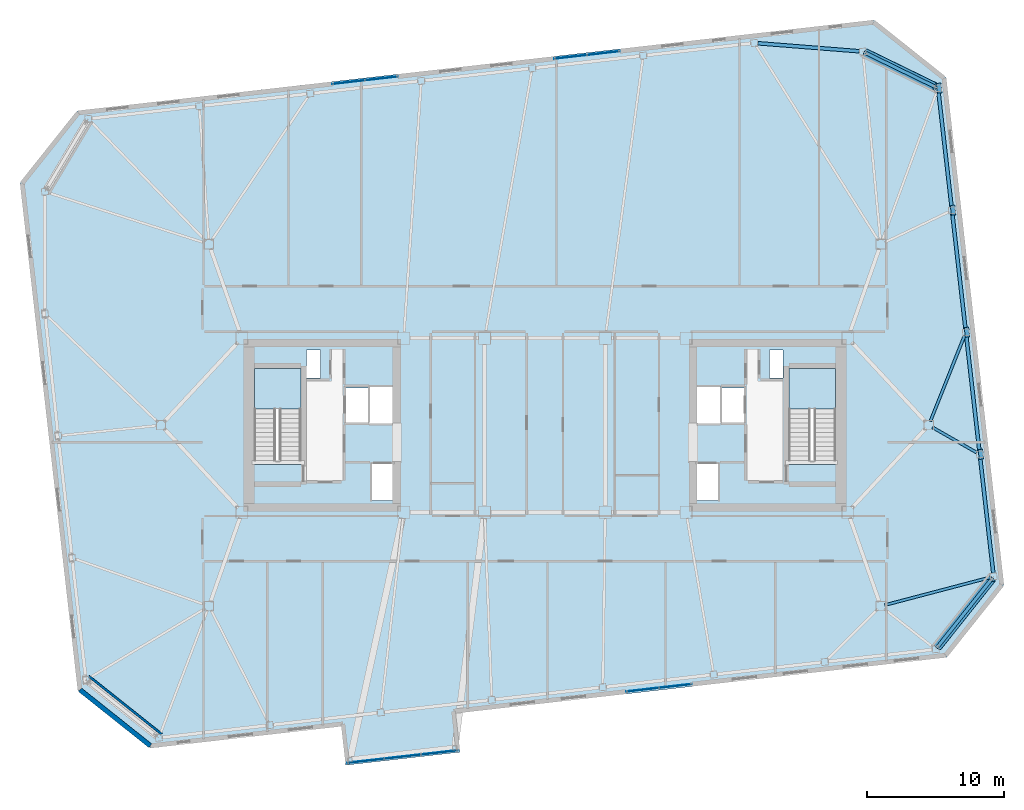
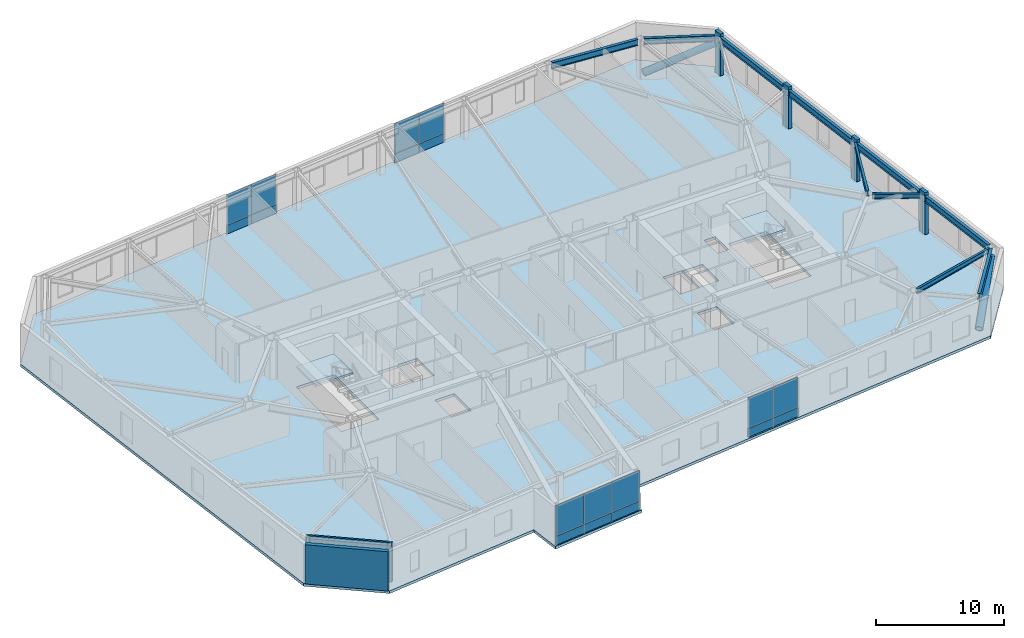
# One storey, part 12 of 19: 18 plates, 10 beams, 6 members, 3 slabs, 2 walls, 6 elements without a shape of their own.
"""IFC4 building model written with IfcOpenShell, lengths in metres."""

from ifc_helpers import new_model, si_unit, direction, frame, frame_2d, origin, origin_2d, place, context, subcontext, project, spatial, polyline, rectangle, hollow_circle, i_section, outline, extrude, material, layer, layer_set, material_profile, profile_set, type_object, element, aggregate, save


model = new_model("IFC4")

# Units and contexts
model_context = context("Model", 3, precision=1e-05, world=origin(), true_north=direction((0.0, 1.0)))
body_context = subcontext(model_context, "Body", "Model", "MODEL_VIEW")
ifc_project = project(units=[si_unit("LENGTHUNIT", "METRE"), si_unit("AREAUNIT", "SQUARE_METRE"), si_unit("VOLUMEUNIT", "CUBIC_METRE"), si_unit("PLANEANGLEUNIT", "RADIAN"), si_unit("MASSUNIT", "GRAM", prefix="KILO")], contexts=[model_context])

# Site, building, storey
site_placement = place(None, origin())
site = spatial("IfcSite", under=ifc_project, at=site_placement, CompositionType="ELEMENT")
building_placement = place(site_placement, origin())
building = spatial("IfcBuilding", under=site, at=building_placement, Name="Tavrogorsk Clinical Tower", CompositionType="ELEMENT")
storey_placement = place(building_placement, frame((0.0, 0.0, 218.199951171875)))
storey = spatial("IfcBuildingStorey", under=building, at=storey_placement, Name="L50", CompositionType="ELEMENT", Elevation=218.199951171875)

# Members
ifc_material_1 = material(Name="Structural steel S440", Category="steel")
ifc_material_profile_1 = material_profile(ifc_material_1, hollow_circle(Radius=0.304931640625, WallThickness=0.02490234375, at=origin_2d()), Name="CHS-610x25")
ifc_profile_set_1 = profile_set([ifc_material_profile_1], Name="Structural steel S440")
member_type_1 = type_object("IfcMemberType", Name="ExoBrace_CHS610", PredefinedType="BRACE", material=ifc_profile_set_1)
member_1_placement = place(storey_placement, frame((28.6572265625, -16.15869140625, 0.398193359375), z_axis=(0.575789482159, 0.723851679348, 0.380138420237), x_axis=(-0.782601910855, 0.622522488852, 0.0)))
element("IfcMember", 1, at=member_1_placement, inside=storey, type_object=member_type_1, Name="L50 Corner Exoskeleton Brace S8-E1", PredefinedType="BRACE", context=body_context, shape_type="SweptSolid", body=[
    extrude(hollow_circle(Radius=0.304931640625, WallThickness=0.02490234375, at=origin_2d()), origin(), (0.0, 0.0, 1.0), 6.8232421875),
])
member_2_placement = place(storey_placement, frame((23.399169921875, 27.150634765625, 0.4072265625), z_axis=(0.817526882464, -0.398699450942, 0.41555811178), x_axis=(0.438340015424, 0.898809229413, 0.0)))
element("IfcMember", 2, at=member_2_placement, inside=storey, type_object=member_type_1, Name="L50 Corner Exoskeleton Brace E5-N1", PredefinedType="BRACE", context=body_context, shape_type="SweptSolid", body=[
    extrude(hollow_circle(Radius=0.304931640625, WallThickness=0.02490234375, at=origin_2d()), origin(), (0.0, 0.0, 1.0), 6.1982421875),
])

# Beams
ifc_material_2 = material(Name="Structural steel S355", Category="steel")
ifc_material_profile_2 = material_profile(ifc_material_2, i_section(OverallWidth=0.199951171875, OverallDepth=0.449951171875, WebThickness=0.011474609375, FlangeThickness=0.01806640625, at=origin_2d()), Name="B-450x200x11.5x18")
ifc_profile_set_2 = profile_set([ifc_material_profile_2], Name="Structural steel S355")
beam_type_1 = type_object("IfcBeamType", Name="FloorBeam_B450", PredefinedType="BEAM", material=ifc_profile_set_2)
beam_1_placement = place(storey_placement, frame((24.7998046875, -13.12109375, 3.51513671875), z_axis=(0.967072149487, 0.254502372652, 0.0), x_axis=(-0.254502372652, 0.967072149487, 0.0)))
element("IfcBeam", 3, at=beam_1_placement, inside=storey, type_object=beam_type_1, Name="L50 Radial Floor Beam E1", PredefinedType="BEAM", context=body_context, shape_type="SweptSolid", body=[
    extrude(i_section(OverallWidth=0.199951171875, OverallDepth=0.449951171875, WebThickness=0.011474609375, FlangeThickness=0.01806640625, at=origin_2d()), origin(), (0.0, 0.0, 1.0), 7.94677734375),
])
beam_2_placement = place(storey_placement, frame((28.26904296875, -0.154052734375, 3.51513671875), z_axis=(0.867782232017, -0.49694466271, 0.0), x_axis=(0.49694466271, 0.867782232017, 0.0)))
element("IfcBeam", 4, at=beam_2_placement, inside=storey, type_object=beam_type_1, Name="L50 Radial Floor Beam E2", PredefinedType="BEAM", context=body_context, shape_type="SweptSolid", body=[
    extrude(i_section(OverallWidth=0.199951171875, OverallDepth=0.449951171875, WebThickness=0.011474609375, FlangeThickness=0.01806640625, at=origin_2d()), origin(), (0.0, 0.0, 1.0), 3.718994140625),
])
beam_3_placement = place(storey_placement, frame((28.114990234375, 0.287841796875, 3.51513671875), z_axis=(0.371052625529, 0.928611839838, 0.0), x_axis=(-0.928611839838, 0.371052625529, 0.0)))
element("IfcBeam", 5, at=beam_3_placement, inside=storey, type_object=beam_type_1, Name="L50 Radial Floor Beam E3", PredefinedType="BEAM", context=body_context, shape_type="SweptSolid", body=[
    extrude(i_section(OverallWidth=0.199951171875, OverallDepth=0.449951171875, WebThickness=0.011474609375, FlangeThickness=0.01806640625, at=origin_2d()), origin(), (0.0, 0.0, 1.0), 6.724365234375),
])

# Members
ifc_material_3 = material(Name="Precast concrete B45 with limestone cladding", Category="masonry")
ifc_material_profile_3 = material_profile(ifc_material_3, rectangle(XDim=0.320068359375, YDim=0.719970703125, at=origin_2d()), Name="LIMESTONE-FIN-320x720")
ifc_profile_set_3 = profile_set([ifc_material_profile_3], Name="Precast concrete B45 with limestone cladding")
member_type_2 = type_object("IfcMemberType", Name="LimestonePleatFin_320x720", PredefinedType="USERDEFINED", material=ifc_profile_set_3)
for number, where, z_axis, x_axis, name in (
    (6, (31.799560546875, -2.121337890625, 0.0), (0.0, 0.0, 1.0), (0.993571855677, 0.113203213768, 0.0), "L50 E Pleated Stone Fin 1"),
    (7, (30.785400390625, 6.781005859375, 0.0), (0.0, 0.0, 1.0), (0.993571855677, 0.113203213768, 0.0), "L50 E Pleated Stone Fin 2"),
    (8, (29.77099609375, 15.683349609375, 0.0), (0.0, 0.0, 1.0), (0.993571855677, 0.113203213768, 0.0), "L50 E Pleated Stone Fin 3"),
    (9, (28.756591796875, 24.585693359375, 0.0), (0.0, 0.0, 1.0), (0.993571855677, 0.113203213768, 0.0), "L50 E Pleated Stone Fin 4"),
):
    element("IfcMember", number, at=place(storey_placement, frame(where, z_axis=z_axis, x_axis=x_axis)), inside=storey, type_object=member_type_2, Name=name, ObjectType="FIN", PredefinedType="USERDEFINED", context=body_context, shape_type="SweptSolid", body=[
        extrude(rectangle(XDim=0.320068359375, YDim=0.719970703125, at=origin_2d()), origin(), (0.0, 0.0, 1.0), 4.0),
    ])

# Beams
ifc_material_4 = material(Name="Structural steel S390", Category="steel")
ifc_material_profile_4 = material_profile(ifc_material_4, i_section(OverallWidth=0.260009765625, OverallDepth=0.60009765625, WebThickness=0.014892578125, FlangeThickness=0.02392578125, at=origin_2d()), Name="B-600x260x15x24")
ifc_profile_set_4 = profile_set([ifc_material_profile_4], Name="Structural steel S390")
beam_type_2 = type_object("IfcBeamType", Name="SpandrelBeam_B600", PredefinedType="SPANDREL", material=ifc_profile_set_4)
beam_4_placement = place(storey_placement, frame((28.669189453125, -16.1435546875, 3.43994140625), z_axis=(0.622513813188, 0.782608811853, 0.0), x_axis=(-0.782608811853, 0.622513813188, 0.0)))
element("IfcBeam", 10, at=beam_4_placement, inside=storey, type_object=beam_type_2, Name="L50 Perimeter Spandrel S8-E1", PredefinedType="SPANDREL", context=body_context, shape_type="SweptSolid", body=[
    extrude(i_section(OverallWidth=0.260009765625, OverallDepth=0.60009765625, WebThickness=0.014892578125, FlangeThickness=0.02392578125, at=origin_2d()), origin(), (0.0, 0.0, 1.0), 6.272216796875),
])
for number, where, z_axis, x_axis, name in (
    (11, (32.705078125, -10.776611328125, 3.43994140625), (-0.113191877531, 0.993573147212, 0.0), (-0.993573147212, -0.113191877531, 0.0), "L50 Perimeter Spandrel E1-E2"),
    (12, (31.69091796875, -1.874267578125, 3.43994140625), (-0.113191877531, 0.993573147212, 0.0), (-0.993573147212, -0.113191877531, 0.0), "L50 Perimeter Spandrel E2-E3"),
):
    element("IfcBeam", number, at=place(storey_placement, frame(where, z_axis=z_axis, x_axis=x_axis)), inside=storey, type_object=beam_type_2, Name=name, PredefinedType="SPANDREL", context=body_context, shape_type="SweptSolid", body=[
        extrude(i_section(OverallWidth=0.260009765625, OverallDepth=0.60009765625, WebThickness=0.014892578125, FlangeThickness=0.02392578125, at=origin_2d()), origin(), (0.0, 0.0, 1.0), 8.444091796875),
    ])
for number, where, z_axis, x_axis, name in (
    (13, (30.676513671875, 7.0283203125, 3.43994140625), (-0.113195129234, 0.99357277676, 0.0), (-0.99357277676, -0.113195129234, 0.0), "L50 Perimeter Spandrel E3-E4"),
    (14, (29.662353515625, 15.9306640625, 3.43994140625), (-0.113223671813, 0.993569524563, 0.0), (-0.993569524563, -0.113223671813, 0.0), "L50 Perimeter Spandrel E4-E5"),
):
    element("IfcBeam", number, at=place(storey_placement, frame(where, z_axis=z_axis, x_axis=x_axis)), inside=storey, type_object=beam_type_2, Name=name, PredefinedType="SPANDREL", context=body_context, shape_type="SweptSolid", body=[
        extrude(i_section(OverallWidth=0.260009765625, OverallDepth=0.60009765625, WebThickness=0.014892578125, FlangeThickness=0.02392578125, at=origin_2d()), origin(), (0.0, 0.0, 1.0), 8.44384765625),
    ])
beam_5_placement = place(storey_placement, frame((28.4453125, 24.689697265625, 3.43994140625), z_axis=(-0.898811248667, 0.438335874951, 0.0), x_axis=(-0.438335874951, -0.898811248667, 0.0)))
element("IfcBeam", 15, at=beam_5_placement, inside=storey, type_object=beam_type_2, Name="L50 Perimeter Spandrel E5-N1", PredefinedType="SPANDREL", context=body_context, shape_type="SweptSolid", body=[
    extrude(i_section(OverallWidth=0.260009765625, OverallDepth=0.60009765625, WebThickness=0.014892578125, FlangeThickness=0.02392578125, at=origin_2d()), origin(), (0.0, 0.0, 1.0), 5.5908203125),
])
beam_6_placement = place(storey_placement, frame((22.930908203125, 27.273681640625, 3.43994140625), z_axis=(-0.996881705424, 0.078910489738, 0.0), x_axis=(-0.078910489738, -0.996881705424, 0.0)))
element("IfcBeam", 16, at=beam_6_placement, inside=storey, type_object=beam_type_2, Name="L50 Perimeter Spandrel N1-N2", PredefinedType="SPANDREL", context=body_context, shape_type="SweptSolid", body=[
    extrude(i_section(OverallWidth=0.260009765625, OverallDepth=0.60009765625, WebThickness=0.014892578125, FlangeThickness=0.02392578125, at=origin_2d()), origin(), (0.0, 0.0, 1.0), 7.428466796875),
])

# Curtain wall, plates
ifc_material_5 = material(Name="Anodised aluminium and triple IGU glazing", Category="aluminium")
ifc_layer_1 = layer(ifc_material_5, 0.179931640625)
ifc_layer_set_1 = layer_set([ifc_layer_1], Name="Anodised aluminium and triple IGU glazing")
curtain_wall_type_1 = type_object("IfcCurtainWallType", Name="CW3_SouthSlot", PredefinedType="NOTDEFINED", material=ifc_layer_set_1)
curtain_wall_1_placement = place(storey_placement, origin())
curtain_wall_1 = element("IfcCurtainWall", 17, at=curtain_wall_1_placement, inside=storey, type_object=curtain_wall_type_1, Name="L50 Curtain Wall CW-L50-S-SLOT-2", PredefinedType="NOTDEFINED")
ifc_material_6 = material(Name="Honed Podolsk limestone spandrel panel", Category="masonry")
ifc_layer_2 = layer(ifc_material_6, 0.080078125)
ifc_layer_set_2 = layer_set([ifc_layer_2], Name="Honed Podolsk limestone spandrel panel")
plate_type_1 = type_object("IfcPlateType", Name="CwSpandrelStonePanel_80", PredefinedType="CURTAIN_PANEL", material=ifc_layer_set_2)
plate_1_placement = place(storey_placement, frame((7.125732421875, -19.294921875, 0.002197265625), z_axis=(0.0, 0.0, 1.0), x_axis=(0.993571855603, 0.11320321441, 0.0)))
plate_1 = element("IfcPlate", 18, at=plate_1_placement, type_object=plate_type_1, Name="CW-L50-S-SLOT-2 Stone Spandrel Panel 1", PredefinedType="CURTAIN_PANEL", context=body_context, shape_type="SweptSolid", body=[
    extrude(rectangle(XDim=2.39208984375, YDim=0.080078125, at=origin_2d()), origin(), (0.0, 0.0, 1.0), 0.8359375),
])
plate_2_placement = place(storey_placement, frame((9.526123046875, -19.021484375, 0.002197265625), z_axis=(0.0, 0.0, 1.0), x_axis=(0.993571855603, 0.11320321441, 0.0)))
plate_2 = element("IfcPlate", 19, at=plate_2_placement, type_object=plate_type_1, Name="CW-L50-S-SLOT-2 Stone Spandrel Panel 2", PredefinedType="CURTAIN_PANEL", context=body_context, shape_type="SweptSolid", body=[
    extrude(rectangle(XDim=2.39208984375, YDim=0.080078125, at=origin_2d()), origin(), (0.0, 0.0, 1.0), 0.8359375),
])

ifc_material_7 = material(Name="Anodised aluminium and triple IGU glazing", Category="aluminium")
ifc_layer_3 = layer(ifc_material_7, 0.179931640625)
ifc_layer_set_3 = layer_set([ifc_layer_3], Name="Anodised aluminium and triple IGU glazing")
curtain_wall_type_2 = type_object("IfcCurtainWallType", Name="CW2_NorthSlot", PredefinedType="NOTDEFINED", material=ifc_layer_set_3)
curtain_wall_2_placement = place(storey_placement, origin())
curtain_wall_2 = element("IfcCurtainWall", 20, at=curtain_wall_2_placement, inside=storey, type_object=curtain_wall_type_2, Name="L50 Curtain Wall CW-L50-N-SLOT-1", PredefinedType="NOTDEFINED")
plate_3_placement = place(storey_placement, frame((-11.92578125, 25.294921875, 0.002197265625), z_axis=(0.0, 0.0, 1.0), x_axis=(-0.993571855603, -0.11320321441, 0.0)))
plate_3 = element("IfcPlate", 21, at=plate_3_placement, type_object=plate_type_1, Name="CW-L50-N-SLOT-1 Stone Spandrel Panel 1", PredefinedType="CURTAIN_PANEL", context=body_context, shape_type="SweptSolid", body=[
    extrude(rectangle(XDim=2.39208984375, YDim=0.080078125, at=origin_2d()), origin(), (0.0, 0.0, 1.0), 0.8359375),
])
plate_4_placement = place(storey_placement, frame((-14.326171875, 25.021484375, 0.002197265625), z_axis=(0.0, 0.0, 1.0), x_axis=(-0.993571855603, -0.11320321441, 0.0)))
plate_4 = element("IfcPlate", 22, at=plate_4_placement, type_object=plate_type_1, Name="CW-L50-N-SLOT-1 Stone Spandrel Panel 2", PredefinedType="CURTAIN_PANEL", context=body_context, shape_type="SweptSolid", body=[
    extrude(rectangle(XDim=2.39208984375, YDim=0.080078125, at=origin_2d()), origin(), (0.0, 0.0, 1.0), 0.8359375),
])

curtain_wall_3_placement = place(storey_placement, origin())
curtain_wall_3 = element("IfcCurtainWall", 23, at=curtain_wall_3_placement, inside=storey, type_object=curtain_wall_type_2, Name="L50 Curtain Wall CW-L50-N-SLOT-2", PredefinedType="NOTDEFINED")
plate_5_placement = place(storey_placement, frame((4.266845703125, 27.139892578125, 0.002197265625), z_axis=(0.0, 0.0, 1.0), x_axis=(-0.993571855603, -0.11320321441, 0.0)))
plate_5 = element("IfcPlate", 24, at=plate_5_placement, type_object=plate_type_1, Name="CW-L50-N-SLOT-2 Stone Spandrel Panel 1", PredefinedType="CURTAIN_PANEL", context=body_context, shape_type="SweptSolid", body=[
    extrude(rectangle(XDim=2.39208984375, YDim=0.080078125, at=origin_2d()), origin(), (0.0, 0.0, 1.0), 0.8359375),
])
plate_6_placement = place(storey_placement, frame((1.8662109375, 26.866455078125, 0.002197265625), z_axis=(0.0, 0.0, 1.0), x_axis=(-0.993571855603, -0.11320321441, 0.0)))
plate_6 = element("IfcPlate", 25, at=plate_6_placement, type_object=plate_type_1, Name="CW-L50-N-SLOT-2 Stone Spandrel Panel 2", PredefinedType="CURTAIN_PANEL", context=body_context, shape_type="SweptSolid", body=[
    extrude(rectangle(XDim=2.39208984375, YDim=0.080078125, at=origin_2d()), origin(), (0.0, 0.0, 1.0), 0.8359375),
])

ifc_material_8 = material(Name="Anodised aluminium and triple IGU glazing", Category="aluminium")
ifc_layer_4 = layer(ifc_material_8, 0.179931640625)
ifc_layer_set_4 = layer_set([ifc_layer_4], Name="Anodised aluminium and triple IGU glazing")
curtain_wall_type_3 = type_object("IfcCurtainWallType", Name="CW4_DayroomBox", PredefinedType="NOTDEFINED", material=ifc_layer_set_4)
curtain_wall_4_placement = place(storey_placement, origin())
curtain_wall_4 = element("IfcCurtainWall", 26, at=curtain_wall_4_placement, inside=storey, type_object=curtain_wall_type_3, Name="L50 Curtain Wall CW-DRB-07-L50", PredefinedType="NOTDEFINED")
plate_7_placement = place(storey_placement, frame((-13.063232421875, -24.48388671875, 0.002197265625), z_axis=(0.0, 0.0, 1.0), x_axis=(0.993571856066, 0.113203210352, 0.0)))
plate_7 = element("IfcPlate", 27, at=plate_7_placement, type_object=plate_type_1, Name="CW-DRB-07-L50 Stone Spandrel Panel 1", PredefinedType="CURTAIN_PANEL", context=body_context, shape_type="SweptSolid", body=[
    extrude(rectangle(XDim=2.68798828125, YDim=0.080078125, at=origin_2d()), origin(), (0.0, 0.0, 1.0), 0.8359375),
])
plate_8_placement = place(storey_placement, frame((-10.374755859375, -24.177490234375, 0.002197265625), z_axis=(0.0, 0.0, 1.0), x_axis=(0.993571856066, 0.113203210352, 0.0)))
plate_8 = element("IfcPlate", 28, at=plate_8_placement, type_object=plate_type_1, Name="CW-DRB-07-L50 Stone Spandrel Panel 2", PredefinedType="CURTAIN_PANEL", context=body_context, shape_type="SweptSolid", body=[
    extrude(rectangle(XDim=2.676025390625, YDim=0.080078125, at=origin_2d()), origin(), (0.0, 0.0, 1.0), 0.8359375),
])
plate_9_placement = place(storey_placement, frame((-7.68603515625, -23.87109375, 0.002197265625), z_axis=(0.0, 0.0, 1.0), x_axis=(0.993571856066, 0.113203210352, 0.0)))
plate_9 = element("IfcPlate", 29, at=plate_9_placement, type_object=plate_type_1, Name="CW-DRB-07-L50 Stone Spandrel Panel 3", PredefinedType="CURTAIN_PANEL", context=body_context, shape_type="SweptSolid", body=[
    extrude(rectangle(XDim=2.68798828125, YDim=0.080078125, at=origin_2d()), origin(), (0.0, 0.0, 1.0), 0.8359375),
])

# Plate
ifc_material_9 = material(Name="Triple low-E argon insulated glass", Category="glass")
ifc_layer_5 = layer(ifc_material_9, 0.048095703125)
ifc_layer_set_5 = layer_set([ifc_layer_5], Name="Triple low-E argon insulated glass")
plate_type_2 = type_object("IfcPlateType", Name="CwVisionGlassPanel_48", PredefinedType="CURTAIN_PANEL", material=ifc_layer_set_5)
plate_10_placement = place(storey_placement, frame((7.125732421875, -19.294921875, 0.862060546875), z_axis=(0.0, 0.0, 1.0), x_axis=(0.993571855603, 0.11320321441, 0.0)))
plate_10 = element("IfcPlate", 30, at=plate_10_placement, type_object=plate_type_2, Name="CW-L50-S-SLOT-2 Glazing Panel 1", PredefinedType="CURTAIN_PANEL", context=body_context, shape_type="SweptSolid", body=[
    extrude(rectangle(XDim=2.39208984375, YDim=0.048095703125, at=origin_2d()), origin(), (0.0, 0.0, 1.0), 2.8759765625),
])

plate_11_placement = place(storey_placement, frame((9.526123046875, -19.021484375, 0.862060546875), z_axis=(0.0, 0.0, 1.0), x_axis=(0.993571855603, 0.11320321441, 0.0)))
plate_11 = element("IfcPlate", 31, at=plate_11_placement, type_object=plate_type_2, Name="CW-L50-S-SLOT-2 Glazing Panel 2", PredefinedType="CURTAIN_PANEL", context=body_context, shape_type="SweptSolid", body=[
    extrude(rectangle(XDim=2.39208984375, YDim=0.048095703125, at=origin_2d()), origin(), (0.0, 0.0, 1.0), 2.8759765625),
])

aggregate(curtain_wall_1, [plate_1, plate_10, plate_2, plate_11])

plate_12_placement = place(storey_placement, frame((-11.92578125, 25.294921875, 0.862060546875), z_axis=(0.0, 0.0, 1.0), x_axis=(-0.993571855603, -0.11320321441, 0.0)))
plate_12 = element("IfcPlate", 32, at=plate_12_placement, type_object=plate_type_2, Name="CW-L50-N-SLOT-1 Glazing Panel 1", PredefinedType="CURTAIN_PANEL", context=body_context, shape_type="SweptSolid", body=[
    extrude(rectangle(XDim=2.39208984375, YDim=0.048095703125, at=origin_2d()), origin(), (0.0, 0.0, 1.0), 2.8759765625),
])

plate_13_placement = place(storey_placement, frame((-14.326171875, 25.021484375, 0.862060546875), z_axis=(0.0, 0.0, 1.0), x_axis=(-0.993571855603, -0.11320321441, 0.0)))
plate_13 = element("IfcPlate", 33, at=plate_13_placement, type_object=plate_type_2, Name="CW-L50-N-SLOT-1 Glazing Panel 2", PredefinedType="CURTAIN_PANEL", context=body_context, shape_type="SweptSolid", body=[
    extrude(rectangle(XDim=2.39208984375, YDim=0.048095703125, at=origin_2d()), origin(), (0.0, 0.0, 1.0), 2.8759765625),
])

aggregate(curtain_wall_2, [plate_3, plate_12, plate_4, plate_13])

plate_14_placement = place(storey_placement, frame((4.266845703125, 27.139892578125, 0.862060546875), z_axis=(0.0, 0.0, 1.0), x_axis=(-0.993571855603, -0.11320321441, 0.0)))
plate_14 = element("IfcPlate", 34, at=plate_14_placement, type_object=plate_type_2, Name="CW-L50-N-SLOT-2 Glazing Panel 1", PredefinedType="CURTAIN_PANEL", context=body_context, shape_type="SweptSolid", body=[
    extrude(rectangle(XDim=2.39208984375, YDim=0.048095703125, at=origin_2d()), origin(), (0.0, 0.0, 1.0), 2.8759765625),
])

plate_15_placement = place(storey_placement, frame((1.8662109375, 26.866455078125, 0.862060546875), z_axis=(0.0, 0.0, 1.0), x_axis=(-0.993571855603, -0.11320321441, 0.0)))
plate_15 = element("IfcPlate", 35, at=plate_15_placement, type_object=plate_type_2, Name="CW-L50-N-SLOT-2 Glazing Panel 2", PredefinedType="CURTAIN_PANEL", context=body_context, shape_type="SweptSolid", body=[
    extrude(rectangle(XDim=2.39208984375, YDim=0.048095703125, at=origin_2d()), origin(), (0.0, 0.0, 1.0), 2.8759765625),
])

aggregate(curtain_wall_3, [plate_5, plate_14, plate_6, plate_15])

plate_16_placement = place(storey_placement, frame((-13.063232421875, -24.48388671875, 0.862060546875), z_axis=(0.0, 0.0, 1.0), x_axis=(0.993571856066, 0.113203210352, 0.0)))
plate_16 = element("IfcPlate", 36, at=plate_16_placement, type_object=plate_type_2, Name="CW-DRB-07-L50 Glazing Panel 1", PredefinedType="CURTAIN_PANEL", context=body_context, shape_type="SweptSolid", body=[
    extrude(rectangle(XDim=2.68798828125, YDim=0.048095703125, at=origin_2d()), origin(), (0.0, 0.0, 1.0), 2.8759765625),
])

plate_17_placement = place(storey_placement, frame((-10.374755859375, -24.177490234375, 0.862060546875), z_axis=(0.0, 0.0, 1.0), x_axis=(0.993571856066, 0.113203210352, 0.0)))
plate_17 = element("IfcPlate", 37, at=plate_17_placement, type_object=plate_type_2, Name="CW-DRB-07-L50 Glazing Panel 2", PredefinedType="CURTAIN_PANEL", context=body_context, shape_type="SweptSolid", body=[
    extrude(rectangle(XDim=2.676025390625, YDim=0.048095703125, at=origin_2d()), origin(), (0.0, 0.0, 1.0), 2.8759765625),
])

plate_18_placement = place(storey_placement, frame((-7.68603515625, -23.87109375, 0.862060546875), z_axis=(0.0, 0.0, 1.0), x_axis=(0.993571856066, 0.113203210352, 0.0)))
plate_18 = element("IfcPlate", 38, at=plate_18_placement, type_object=plate_type_2, Name="CW-DRB-07-L50 Glazing Panel 3", PredefinedType="CURTAIN_PANEL", context=body_context, shape_type="SweptSolid", body=[
    extrude(rectangle(XDim=2.68798828125, YDim=0.048095703125, at=origin_2d()), origin(), (0.0, 0.0, 1.0), 2.8759765625),
])

aggregate(curtain_wall_4, [plate_7, plate_16, plate_8, plate_17, plate_9, plate_18])

# Stair, slab
ifc_material_10 = material(Name="Concrete B60", Category="concrete")
stair_type = type_object("IfcStairType", Name="CoreStairAssembly", PredefinedType="HALF_TURN_STAIR", material=ifc_material_10)
stair_1_placement = place(storey_placement, origin())
stair_1 = element("IfcStair", 39, at=stair_1_placement, inside=storey, type_object=stair_type, Name="L50 ST-W", PredefinedType="HALF_TURN_STAIR")
ifc_material_11 = material(Name="Concrete B60", Category="concrete")
ifc_layer_6 = layer(ifc_material_11, 0.199951171875)
ifc_layer_set_6 = layer_set([ifc_layer_6], Name="Concrete B60")
slab_type_1 = type_object("IfcSlabType", Name="StairLanding_200", PredefinedType="LANDING", material=ifc_layer_set_6)
slab_1_placement = place(storey_placement, frame((0.0, 0.0, 1.800048828125)))
slab_1 = element("IfcSlab", 40, at=slab_1_placement, type_object=slab_type_1, Name="ST-W landing 1", PredefinedType="LANDING", context=body_context, shape_type="SweptSolid", body=[
    extrude(outline(polyline([(-17.800048828125, 1.1650390625), (-17.800048828125, 4.125), (-21.199951171875, 4.125), (-21.199951171875, 1.1650390625), (-17.800048828125, 1.1650390625)])), origin(), (0.0, 0.0, 1.0), 0.199951171875),
])
aggregate(stair_1, [slab_1])

stair_2_placement = place(storey_placement, origin())
stair_2 = element("IfcStair", 41, at=stair_2_placement, inside=storey, type_object=stair_type, Name="L50 ST-E", PredefinedType="HALF_TURN_STAIR")
slab_2_placement = place(storey_placement, frame((0.0, 0.0, 1.800048828125)))
slab_2 = element("IfcSlab", 42, at=slab_2_placement, type_object=slab_type_1, Name="ST-E landing 1", PredefinedType="LANDING", context=body_context, shape_type="SweptSolid", body=[
    extrude(outline(polyline([(21.199951171875, 1.1650390625), (21.199951171875, 4.125), (17.800048828125, 4.125), (17.800048828125, 1.1650390625), (21.199951171875, 1.1650390625)])), origin(), (0.0, 0.0, 1.0), 0.199951171875),
])
aggregate(stair_2, [slab_2])

# Slab
ifc_material_12 = material(Name="Concrete B60", Category="concrete")
ifc_layer_7 = layer(ifc_material_12, 0.260009765625)
ifc_layer_set_7 = layer_set([ifc_layer_7], Name="Concrete B60")
slab_type_2 = type_object("IfcSlabType", Name="WardSlab_260", PredefinedType="FLOOR", material=ifc_layer_set_7)
slab_3_placement = place(storey_placement, frame((0.0, 0.0, -0.260009765625)))
element("IfcSlab", 43, at=slab_3_placement, inside=storey, type_object=slab_type_2, Name="L50 Structural Slab", PredefinedType="FLOOR", context=body_context, shape_type="SweptSolid", body=[
    extrude(outline(polyline([(-28.76318359375, -23.55517578125), (-34.075927734375, -19.329345703125), (-38.287109375, 17.631591796875), (-34.061279296875, 22.944091796875), (23.96337890625, 29.55517578125), (29.27587890625, 25.329345703125), (33.487060546875, -11.631591796875), (29.26123046875, -16.944091796875), (-6.50732421875, -21.019287109375), (-6.184814453125, -23.85107421875), (-14.53076171875, -24.802001953125), (-14.853271484375, -21.97021484375), (-28.76318359375, -23.55517578125)]), holes=[polyline([(-17.800048828125, -2.8798828125), (-17.800048828125, 4.125), (-21.199951171875, 4.125), (-21.199951171875, -2.8798828125), (-17.800048828125, -2.8798828125)]), polyline([(21.199951171875, -2.8798828125), (21.199951171875, 4.125), (17.800048828125, 4.125), (17.800048828125, -2.8798828125), (21.199951171875, -2.8798828125)]), polyline([(-14.6201171875, 0.169921875), (-12.860107421875, 0.169921875), (-12.860107421875, 2.72998046875), (-14.6201171875, 2.72998046875), (-14.6201171875, 0.169921875)]), polyline([(-12.72998046875, -5.47998046875), (-10.969970703125, -5.47998046875), (-10.969970703125, -2.820068359375), (-12.72998046875, -2.820068359375), (-12.72998046875, -5.47998046875)]), polyline([(-12.840087890625, 0.1201171875), (-11.080078125, 0.1201171875), (-11.080078125, 2.780029296875), (-12.840087890625, 2.780029296875), (-12.840087890625, 0.1201171875)]), polyline([(12.860107421875, 0.169921875), (14.6201171875, 0.169921875), (14.6201171875, 2.72998046875), (12.860107421875, 2.72998046875), (12.860107421875, 0.169921875)]), polyline([(10.969970703125, -5.47998046875), (12.72998046875, -5.47998046875), (12.72998046875, -2.820068359375), (10.969970703125, -2.820068359375), (10.969970703125, -5.47998046875)]), polyline([(11.080078125, 0.1201171875), (12.840087890625, 0.1201171875), (12.840087890625, 2.780029296875), (11.080078125, 2.780029296875), (11.080078125, 0.1201171875)]), polyline([(-17.3798828125, 3.449951171875), (-16.3798828125, 3.449951171875), (-16.3798828125, 5.5), (-17.3798828125, 5.5), (-17.3798828125, 3.449951171875)]), polyline([(16.3798828125, 3.449951171875), (17.3798828125, 3.449951171875), (17.3798828125, 5.5), (16.3798828125, 5.5), (16.3798828125, 3.449951171875)])]), origin(), (0.0, 0.0, 1.0), 0.260009765625),
])

# Walls
ifc_material_13 = material(Name="Lightweight concrete blockwork B15", Category="masonry")
ifc_layer_8 = layer(ifc_material_13, 0.159912109375)
ifc_layer_set_8 = layer_set([ifc_layer_8], Name="Lightweight concrete blockwork B15")
wall_type_1 = type_object("IfcWallType", Name="PartitionWall_160", PredefinedType="PARTITIONING", material=ifc_layer_set_8)
wall_1_placement = place(storey_placement, frame((-33.265380859375, -18.310546875, 0.0), z_axis=(0.0, 0.0, 1.0), x_axis=(0.782602647064, -0.622521563328, 0.0)))
element("IfcWall", 44, at=wall_1_placement, inside=storey, type_object=wall_type_1, Name="L50 Corner Exoskeleton Brace Furring Wall 4", PredefinedType="PARTITIONING", context=body_context, shape_type="SweptSolid", body=[
    extrude(rectangle(XDim=6.788330078125, YDim=0.159912109375, at=frame_2d((3.39404296875, 0.0))), origin(), (0.0, 0.0, 1.0), 3.739990234375),
])
ifc_material_14 = material(Name="Precast concrete B45 with limestone cladding", Category="masonry")
ifc_layer_9 = layer(ifc_material_14, 0.340087890625)
ifc_layer_set_9 = layer_set([ifc_layer_9], Name="Precast concrete B45 with limestone cladding")
wall_type_2 = type_object("IfcWallType", Name="PrecastLimestoneWall_340", PredefinedType="STANDARD", material=ifc_layer_set_9)
wall_2_placement = place(storey_placement, frame((-33.906982421875, -19.31005859375, 0.0), z_axis=(0.0, 0.0, 1.0), x_axis=(0.782611787794, -0.622510071892, 0.0)))
element("IfcWall", 45, at=wall_2_placement, inside=storey, type_object=wall_type_2, Name="L50 Chamfered Corner Wall 4", PredefinedType="STANDARD", context=body_context, shape_type="SweptSolid", body=[
    extrude(rectangle(XDim=6.5478515625, YDim=0.340087890625, at=frame_2d((3.27392578125, 0.0))), origin(), (0.0, 0.0, 1.0), 3.739990234375),
])

save(model, "model.ifc")
